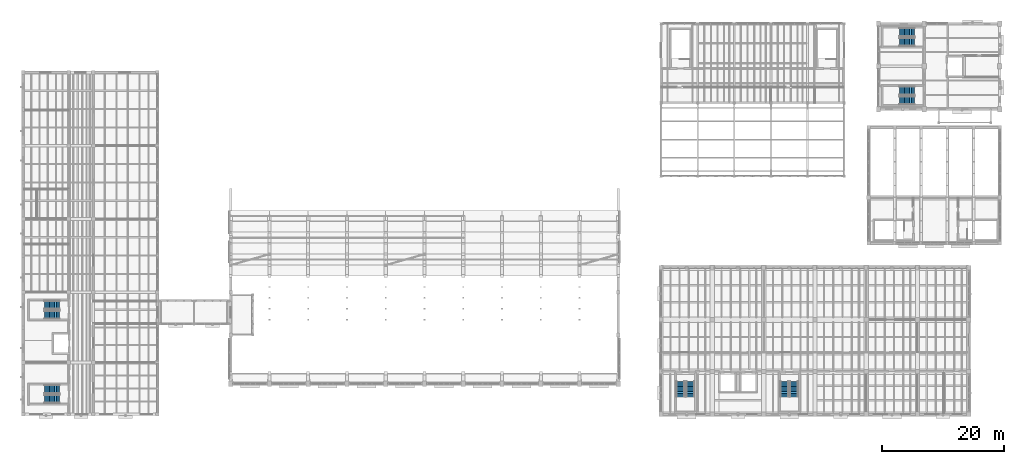
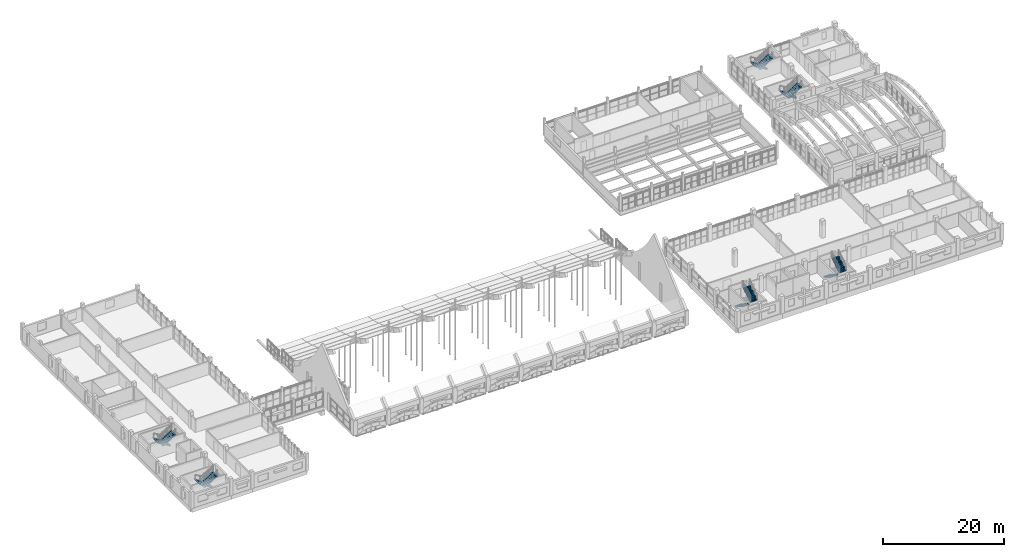
# One storey, part 66 of 77: 12 stair flights, 6 elements without a shape of their own.
"""IFC4 building model written with IfcOpenShell, lengths in metres."""

import ifcopenshell
import ifcopenshell.guid

model = None  # the IFC model being written
_history = None  # IfcOwnerHistory: only IFC2X3 demands one
_inside = {}  # id of a spatial element -> (the spatial element, [elements in it])
_under = {}  # id of a project, library or spatial element -> (it, [spatial elements below it])
_declared = {}  # id of a project -> (the project, [libraries it declares])
_typed = {}  # id of a type object -> (the type object, [elements of that type])
_made_of = {}  # id of a material, layer set ... -> (it, [elements and type objects made of it])


def new_model(schema):
    """Start an empty IFC model of exactly this schema.

    Asked for "IFC4X3", IfcOpenShell would pick the latest addendum, in which some entities
    have other attributes; the version numbers below select the first issue.
    IFC2X3 requires an IfcOwnerHistory on every rooted entity: one is made here for all.
    """
    global model, _history
    if schema == "IFC4X3":
        model = ifcopenshell.file(schema_version=(4, 3, 0, 0))
    else:
        model = ifcopenshell.file(schema=schema)
    _inside.clear()
    _under.clear()
    _declared.clear()
    _typed.clear()
    _made_of.clear()
    _history = None
    if model.schema == "IFC2X3":
        org = make("IfcOrganization", Name="unknown")
        user = make(
            "IfcPersonAndOrganization",
            ThePerson=make("IfcPerson", FamilyName="unknown"),
            TheOrganization=org,
        )
        app = make(
            "IfcApplication",
            ApplicationDeveloper=org,
            Version="unknown",
            ApplicationFullName="unknown",
            ApplicationIdentifier="unknown",
        )
        _history = make(
            "IfcOwnerHistory",
            OwningUser=user,
            OwningApplication=app,
            ChangeAction="ADDED",
            CreationDate=0,
        )
    return model


def make(cls, **values):
    """One entity of the class cls with the attributes given. An attribute that is None is left unset."""
    return model.create_entity(
        cls, **{name: value for name, value in values.items() if value is not None}
    )


def rooted(cls, **values):
    """An entity with a GlobalId (a new one), such as an element, a storey or a relation."""
    return make(cls, GlobalId=ifcopenshell.guid.new(), OwnerHistory=_history, **values)


def si_unit(unit_type, name, prefix=None):
    """IfcSIUnit, for example si_unit("LENGTHUNIT", "METRE", prefix="MILLI")."""
    return make("IfcSIUnit", UnitType=unit_type, Prefix=prefix, Name=name)


def assignment(units):
    """IfcUnitAssignment: the units of a project."""
    return None if units is None else make("IfcUnitAssignment", Units=units)


def point(xyz):
    """IfcCartesianPoint."""
    return None if xyz is None else make("IfcCartesianPoint", Coordinates=xyz)


def direction(xyz):
    """IfcDirection."""
    return None if xyz is None else make("IfcDirection", DirectionRatios=xyz)


def frame(location, z_axis=None, x_axis=None):
    """IfcAxis2Placement3D, a coordinate frame: its origin and axes. An axis left out is left unset."""
    return make(
        "IfcAxis2Placement3D",
        Location=point(location),
        Axis=direction(z_axis),
        RefDirection=direction(x_axis),
    )


def origin():
    """The frame at (0, 0, 0) with its axes left unset."""
    return frame((0.0, 0.0, 0.0))


def place(relative_to, where):
    """IfcLocalPlacement: puts the frame where relative to a parent placement (None: the world)."""
    return make(
        "IfcLocalPlacement", PlacementRelTo=relative_to, RelativePlacement=where
    )


def context(
    kind, dimensions, precision=None, world=None, true_north=None, identifier=None
):
    """IfcGeometricRepresentationContext, for example the 3D "Model" context."""
    return make(
        "IfcGeometricRepresentationContext",
        ContextIdentifier=identifier,
        ContextType=kind,
        CoordinateSpaceDimension=dimensions,
        Precision=precision,
        WorldCoordinateSystem=world,
        TrueNorth=true_north,
    )


def subcontext(parent, identifier, kind, view, scale=None):
    """IfcGeometricRepresentationSubContext, for example "Body" below "Model"."""
    return make(
        "IfcGeometricRepresentationSubContext",
        ContextIdentifier=identifier,
        ContextType=kind,
        ParentContext=parent,
        TargetScale=scale,
        TargetView=view,
    )


def project(units=None, contexts=None):
    """IfcProject with its units and contexts."""
    return rooted(
        "IfcProject",
        Name="project",
        RepresentationContexts=contexts,
        UnitsInContext=assignment(units),
    )


def spatial(cls, under=None, at=None, **own):
    """A site, building, storey or space (cls), placed at a placement, below another one or the project."""
    s = rooted(cls, ObjectPlacement=at, **own)
    if under is not None:
        _under.setdefault(under.id(), (under, []))[1].append(s)
    return s


def polyline(points):
    """IfcPolyline through the points."""
    return make("IfcPolyline", Points=[point(p) for p in points])


def outline(outer, holes=None, kind="AREA"):
    """IfcArbitraryClosedProfileDef: a profile drawn as a closed curve; with holes, ...WithVoids."""
    if holes is None:
        return make("IfcArbitraryClosedProfileDef", ProfileType=kind, OuterCurve=outer)
    return make(
        "IfcArbitraryProfileDefWithVoids",
        ProfileType=kind,
        OuterCurve=outer,
        InnerCurves=holes,
    )


def extrude(swept, where, along, depth):
    """IfcExtrudedAreaSolid: the profile swept, set in the frame where, extruded along a direction by depth."""
    return make(
        "IfcExtrudedAreaSolid",
        SweptArea=swept,
        Position=where,
        ExtrudedDirection=direction(along),
        Depth=depth,
    )


def shape(context_of_items, identifier, shape_type, items):
    """IfcShapeRepresentation: the items that make up one representation, for example the "Body"."""
    return make(
        "IfcShapeRepresentation",
        ContextOfItems=context_of_items,
        RepresentationIdentifier=identifier,
        RepresentationType=shape_type,
        Items=items,
    )


def material(Name=None, Category=None):
    """IfcMaterial."""
    return make("IfcMaterial", Name=Name, Category=Category)


def made_of(thing, what):
    """Note that an element or type object is made of a material, layer set ...; save() writes the relation."""
    if what is not None:
        _made_of.setdefault(what.id(), (what, []))[1].append(thing)
    return thing


def type_object(cls, material=None, **own):
    """A type object (cls), such as IfcWallType, which elements share."""
    return made_of(rooted(cls, **own), material)


def element(
    cls,
    number,
    at=None,
    inside=None,
    cuts=None,
    type_object=None,
    material=None,
    context=None,
    identifier="Body",
    shape_type=None,
    held_by="IfcProductDefinitionShape",
    body=None,
    shapes=None,
    **own,
):
    """One element of the class cls, such as IfcWall. Its Tag is "e" and its number.

    at: its placement. inside: the storey or other place that contains it. cuts: it is an
    opening in that element (IfcRelVoidsElement). A single representation is given by context,
    identifier, shape_type and body (its items); several are given by shapes. held_by: the class
    of the entity that holds the representations. save() writes the other relations.
    """
    e = rooted(cls, Tag="e%d" % number, ObjectPlacement=at, **own)
    if body is not None:
        shapes = [shape(context, identifier, shape_type, body)]
    if shapes is not None:
        e.Representation = make(held_by, Representations=shapes)
    if inside is not None:
        _inside.setdefault(inside.id(), (inside, []))[1].append(e)
    if cuts is not None:
        rooted(
            "IfcRelVoidsElement", RelatingBuildingElement=cuts, RelatedOpeningElement=e
        )
    if type_object is not None:
        _typed.setdefault(type_object.id(), (type_object, []))[1].append(e)
    return made_of(e, material)


def aggregate(whole, parts):
    """IfcRelAggregates: a whole, such as a stair, and the parts it consists of."""
    return rooted("IfcRelAggregates", RelatingObject=whole, RelatedObjects=parts)


def save(model, path):
    """Write the relations noted so far, then the file.

    IfcRelAggregates (storeys below a building ...), IfcRelContainedInSpatialStructure (elements
    in a storey), IfcRelDefinesByType, IfcRelAssociatesMaterial and IfcRelDeclares: one each for
    every whole, place, type object, material and project.
    """
    for whole, parts in _under.values():
        aggregate(whole, parts)
    for where, things in _inside.values():
        rooted(
            "IfcRelContainedInSpatialStructure",
            RelatedElements=things,
            RelatingStructure=where,
        )
    for kind, things in _typed.values():
        rooted("IfcRelDefinesByType", RelatedObjects=things, RelatingType=kind)
    for what, things in _made_of.values():
        rooted("IfcRelAssociatesMaterial", RelatedObjects=things, RelatingMaterial=what)
    for by, libraries in _declared.values():
        rooted("IfcRelDeclares", RelatingContext=by, RelatedDefinitions=libraries)
    model.write(path)


model = new_model("IFC4")

# Units and contexts
model_context = context("Model", 3, precision=1e-05, world=origin(), true_north=direction((0.0, 1.0)))
body_context = subcontext(model_context, "Body", "Model", "MODEL_VIEW")
ifc_project = project(units=[si_unit("LENGTHUNIT", "METRE"), si_unit("AREAUNIT", "SQUARE_METRE"), si_unit("VOLUMEUNIT", "CUBIC_METRE"), si_unit("PLANEANGLEUNIT", "RADIAN"), si_unit("MASSUNIT", "GRAM", prefix="KILO")], contexts=[model_context])

# Site, building, storey
site_placement = place(None, origin())
site = spatial("IfcSite", under=ifc_project, at=site_placement, CompositionType="ELEMENT")
building_placement = place(site_placement, origin())
building = spatial("IfcBuilding", under=site, at=building_placement, Name="Trellovar Central Fire Station", CompositionType="ELEMENT")
storey_placement = place(building_placement, frame((0.0, 0.0, 5.85009765625)))
storey = spatial("IfcBuildingStorey", under=building, at=storey_placement, Name="L02", CompositionType="ELEMENT", Elevation=5.85009765625)

# Stair, stair flights
ifc_material_1 = material(Name="Concrete C40/50", Category="concrete")
stair_type = type_object("IfcStairType", Name="ST-R1725", PredefinedType="HALF_TURN_STAIR", material=ifc_material_1)
stair_1_placement = place(storey_placement, origin())
stair_1 = element("IfcStair", 1, at=stair_1_placement, inside=storey, type_object=stair_type, Name="L02 Protected exit stair ST-01", PredefinedType="HALF_TURN_STAIR")
ifc_material_2 = material(Name="Concrete C40/50", Category="concrete")
stair_flight_type = type_object("IfcStairFlightType", Name="STF-R1725", PredefinedType="STRAIGHT", material=ifc_material_2)
stair_flight_1_placement = place(storey_placement, frame((108.699951171875, 14.39990234375, 0.0), z_axis=(0.0, 0.0, 1.0), x_axis=(0.0, -1.0, 0.0)))
stair_flight_1 = element("IfcStairFlight", 2, at=stair_flight_1_placement, type_object=stair_flight_type, Name="ST-01 flight 1", NumberOfRisers=10, NumberOfTreads=9, PredefinedType="STRAIGHT", RiserHeight=0.1725, TreadLength=0.28, context=body_context, shape_type="SweptSolid", body=[
    extrude(outline(polyline([(0.0, 0.0), (0.0, 0.172607421875), (0.280029296875, 0.172607421875), (0.280029296875, 0.344970703125), (0.56005859375, 0.344970703125), (0.56005859375, 0.517578125), (0.840087890625, 0.517578125), (0.840087890625, 0.68994140625), (1.1201171875, 0.68994140625), (1.1201171875, 0.862548828125), (1.39990234375, 0.862548828125), (1.39990234375, 1.034912109375), (1.679931640625, 1.034912109375), (1.679931640625, 1.20751953125), (1.9599609375, 1.20751953125), (1.9599609375, 1.3798828125), (2.239990234375, 1.3798828125), (2.239990234375, 1.552490234375), (2.52001953125, 1.552490234375), (2.52001953125, 1.72509765625), (2.52001953125, 1.37646484375), (0.285888671875, 0.0), (0.0, 0.0)])), frame((0.0, 0.699951171875, 0.0), z_axis=(0.0, -1.0, 0.0), x_axis=(1.0, 0.0, 0.0)), (0.0, 0.0, 1.0), 1.39990234375),
])
stair_flight_2_placement = place(storey_placement, frame((110.300048828125, 11.8798828125, 1.724853515625), z_axis=(0.0, 0.0, 1.0), x_axis=(0.0, 1.0, 0.0)))
stair_flight_2 = element("IfcStairFlight", 3, at=stair_flight_2_placement, type_object=stair_flight_type, Name="ST-01 flight 2", NumberOfRisers=10, NumberOfTreads=9, PredefinedType="STRAIGHT", RiserHeight=0.1725, TreadLength=0.28, context=body_context, shape_type="SweptSolid", body=[
    extrude(outline(polyline([(0.0, 0.0), (0.0, 0.172607421875), (0.280029296875, 0.172607421875), (0.280029296875, 0.344970703125), (0.56005859375, 0.344970703125), (0.56005859375, 0.517578125), (0.840087890625, 0.517578125), (0.840087890625, 0.68994140625), (1.1201171875, 0.68994140625), (1.1201171875, 0.862548828125), (1.39990234375, 0.862548828125), (1.39990234375, 1.034912109375), (1.679931640625, 1.034912109375), (1.679931640625, 1.20751953125), (1.9599609375, 1.20751953125), (1.9599609375, 1.3798828125), (2.239990234375, 1.3798828125), (2.239990234375, 1.552490234375), (2.52001953125, 1.552490234375), (2.52001953125, 1.72509765625), (2.52001953125, 1.37646484375), (0.285888671875, 0.0), (0.0, 0.0)])), frame((0.0, 0.699951171875, 0.0), z_axis=(0.0, -1.0, 0.0), x_axis=(1.0, 0.0, 0.0)), (0.0, 0.0, 1.0), 1.39990234375),
])
aggregate(stair_1, [stair_flight_1, stair_flight_2])

stair_2_placement = place(storey_placement, origin())
stair_2 = element("IfcStair", 4, at=stair_2_placement, inside=storey, type_object=stair_type, Name="L02 Protected exit stair ST-02", PredefinedType="HALF_TURN_STAIR")
stair_flight_3_placement = place(storey_placement, frame((125.699951171875, 14.39990234375, 0.0), z_axis=(0.0, 0.0, 1.0), x_axis=(0.0, -1.0, 0.0)))
stair_flight_3 = element("IfcStairFlight", 5, at=stair_flight_3_placement, type_object=stair_flight_type, Name="ST-02 flight 1", NumberOfRisers=10, NumberOfTreads=9, PredefinedType="STRAIGHT", RiserHeight=0.1725, TreadLength=0.28, context=body_context, shape_type="SweptSolid", body=[
    extrude(outline(polyline([(0.0, 0.0), (0.0, 0.172607421875), (0.280029296875, 0.172607421875), (0.280029296875, 0.344970703125), (0.56005859375, 0.344970703125), (0.56005859375, 0.517578125), (0.840087890625, 0.517578125), (0.840087890625, 0.68994140625), (1.1201171875, 0.68994140625), (1.1201171875, 0.862548828125), (1.39990234375, 0.862548828125), (1.39990234375, 1.034912109375), (1.679931640625, 1.034912109375), (1.679931640625, 1.20751953125), (1.9599609375, 1.20751953125), (1.9599609375, 1.3798828125), (2.239990234375, 1.3798828125), (2.239990234375, 1.552490234375), (2.52001953125, 1.552490234375), (2.52001953125, 1.72509765625), (2.52001953125, 1.37646484375), (0.285888671875, 0.0), (0.0, 0.0)])), frame((0.0, 0.699951171875, 0.0), z_axis=(0.0, -1.0, 0.0), x_axis=(1.0, 0.0, 0.0)), (0.0, 0.0, 1.0), 1.39990234375),
])
stair_flight_4_placement = place(storey_placement, frame((127.300048828125, 11.8798828125, 1.724853515625), z_axis=(0.0, 0.0, 1.0), x_axis=(0.0, 1.0, 0.0)))
stair_flight_4 = element("IfcStairFlight", 6, at=stair_flight_4_placement, type_object=stair_flight_type, Name="ST-02 flight 2", NumberOfRisers=10, NumberOfTreads=9, PredefinedType="STRAIGHT", RiserHeight=0.1725, TreadLength=0.28, context=body_context, shape_type="SweptSolid", body=[
    extrude(outline(polyline([(0.0, 0.0), (0.0, 0.172607421875), (0.280029296875, 0.172607421875), (0.280029296875, 0.344970703125), (0.56005859375, 0.344970703125), (0.56005859375, 0.517578125), (0.840087890625, 0.517578125), (0.840087890625, 0.68994140625), (1.1201171875, 0.68994140625), (1.1201171875, 0.862548828125), (1.39990234375, 0.862548828125), (1.39990234375, 1.034912109375), (1.679931640625, 1.034912109375), (1.679931640625, 1.20751953125), (1.9599609375, 1.20751953125), (1.9599609375, 1.3798828125), (2.239990234375, 1.3798828125), (2.239990234375, 1.552490234375), (2.52001953125, 1.552490234375), (2.52001953125, 1.72509765625), (2.52001953125, 1.37646484375), (0.285888671875, 0.0), (0.0, 0.0)])), frame((0.0, 0.699951171875, 0.0), z_axis=(0.0, -1.0, 0.0), x_axis=(1.0, 0.0, 0.0)), (0.0, 0.0, 1.0), 1.39990234375),
])
aggregate(stair_2, [stair_flight_3, stair_flight_4])

stair_3_placement = place(storey_placement, origin())
stair_3 = element("IfcStair", 7, at=stair_3_placement, inside=storey, type_object=stair_type, Name="L02 Protected exit stair ST-03", PredefinedType="HALF_TURN_STAIR")
stair_flight_5_placement = place(storey_placement, frame((7.0, 13.10009765625, 0.0), z_axis=(0.0, 0.0, 1.0), x_axis=(-1.0, 0.0, 0.0)))
stair_flight_5 = element("IfcStairFlight", 8, at=stair_flight_5_placement, type_object=stair_flight_type, Name="ST-03 flight 1", NumberOfRisers=10, NumberOfTreads=9, PredefinedType="STRAIGHT", RiserHeight=0.1725, TreadLength=0.28, context=body_context, shape_type="SweptSolid", body=[
    extrude(outline(polyline([(0.0, 0.0), (0.0, 0.172607421875), (0.280029296875, 0.172607421875), (0.280029296875, 0.344970703125), (0.56005859375, 0.344970703125), (0.56005859375, 0.517578125), (0.840087890625, 0.517578125), (0.840087890625, 0.68994140625), (1.1201171875, 0.68994140625), (1.1201171875, 0.862548828125), (1.39990234375, 0.862548828125), (1.39990234375, 1.034912109375), (1.679931640625, 1.034912109375), (1.679931640625, 1.20751953125), (1.9599609375, 1.20751953125), (1.9599609375, 1.3798828125), (2.239990234375, 1.3798828125), (2.239990234375, 1.552490234375), (2.52001953125, 1.552490234375), (2.52001953125, 1.72509765625), (2.52001953125, 1.37646484375), (0.285888671875, 0.0), (0.0, 0.0)])), frame((0.0, 0.699951171875, 0.0), z_axis=(0.0, -1.0, 0.0), x_axis=(1.0, 0.0, 0.0)), (0.0, 0.0, 1.0), 1.39990234375),
])
stair_flight_6_placement = place(storey_placement, frame((4.47998046875, 11.5, 1.724853515625), z_axis=(0.0, 0.0, 1.0), x_axis=(1.0, 0.0, 0.0)))
stair_flight_6 = element("IfcStairFlight", 9, at=stair_flight_6_placement, type_object=stair_flight_type, Name="ST-03 flight 2", NumberOfRisers=10, NumberOfTreads=9, PredefinedType="STRAIGHT", RiserHeight=0.1725, TreadLength=0.28, context=body_context, shape_type="SweptSolid", body=[
    extrude(outline(polyline([(0.0, 0.0), (0.0, 0.172607421875), (0.280029296875, 0.172607421875), (0.280029296875, 0.344970703125), (0.56005859375, 0.344970703125), (0.56005859375, 0.517578125), (0.840087890625, 0.517578125), (0.840087890625, 0.68994140625), (1.1201171875, 0.68994140625), (1.1201171875, 0.862548828125), (1.39990234375, 0.862548828125), (1.39990234375, 1.034912109375), (1.679931640625, 1.034912109375), (1.679931640625, 1.20751953125), (1.9599609375, 1.20751953125), (1.9599609375, 1.3798828125), (2.239990234375, 1.3798828125), (2.239990234375, 1.552490234375), (2.52001953125, 1.552490234375), (2.52001953125, 1.72509765625), (2.52001953125, 1.37646484375), (0.285888671875, 0.0), (0.0, 0.0)])), frame((0.0, 0.699951171875, 0.0), z_axis=(0.0, -1.0, 0.0), x_axis=(1.0, 0.0, 0.0)), (0.0, 0.0, 1.0), 1.39990234375),
])
aggregate(stair_3, [stair_flight_5, stair_flight_6])

stair_4_placement = place(storey_placement, origin())
stair_4 = element("IfcStair", 10, at=stair_4_placement, inside=storey, type_object=stair_type, Name="L02 Protected exit stair ST-04", PredefinedType="HALF_TURN_STAIR")
stair_flight_7_placement = place(storey_placement, frame((7.0, 26.89990234375, 0.0), z_axis=(0.0, 0.0, 1.0), x_axis=(-1.0, 0.0, 0.0)))
stair_flight_7 = element("IfcStairFlight", 11, at=stair_flight_7_placement, type_object=stair_flight_type, Name="ST-04 flight 1", NumberOfRisers=10, NumberOfTreads=9, PredefinedType="STRAIGHT", RiserHeight=0.1725, TreadLength=0.28, context=body_context, shape_type="SweptSolid", body=[
    extrude(outline(polyline([(0.0, 0.0), (0.0, 0.172607421875), (0.280029296875, 0.172607421875), (0.280029296875, 0.344970703125), (0.56005859375, 0.344970703125), (0.56005859375, 0.517578125), (0.840087890625, 0.517578125), (0.840087890625, 0.68994140625), (1.1201171875, 0.68994140625), (1.1201171875, 0.862548828125), (1.39990234375, 0.862548828125), (1.39990234375, 1.034912109375), (1.679931640625, 1.034912109375), (1.679931640625, 1.20751953125), (1.9599609375, 1.20751953125), (1.9599609375, 1.3798828125), (2.239990234375, 1.3798828125), (2.239990234375, 1.552490234375), (2.52001953125, 1.552490234375), (2.52001953125, 1.72509765625), (2.52001953125, 1.37646484375), (0.285888671875, 0.0), (0.0, 0.0)])), frame((0.0, 0.699951171875, 0.0), z_axis=(0.0, -1.0, 0.0), x_axis=(1.0, 0.0, 0.0)), (0.0, 0.0, 1.0), 1.39990234375),
])
stair_flight_8_placement = place(storey_placement, frame((4.47998046875, 25.300048828125, 1.724853515625), z_axis=(0.0, 0.0, 1.0), x_axis=(1.0, 0.0, 0.0)))
stair_flight_8 = element("IfcStairFlight", 12, at=stair_flight_8_placement, type_object=stair_flight_type, Name="ST-04 flight 2", NumberOfRisers=10, NumberOfTreads=9, PredefinedType="STRAIGHT", RiserHeight=0.1725, TreadLength=0.28, context=body_context, shape_type="SweptSolid", body=[
    extrude(outline(polyline([(0.0, 0.0), (0.0, 0.172607421875), (0.280029296875, 0.172607421875), (0.280029296875, 0.344970703125), (0.56005859375, 0.344970703125), (0.56005859375, 0.517578125), (0.840087890625, 0.517578125), (0.840087890625, 0.68994140625), (1.1201171875, 0.68994140625), (1.1201171875, 0.862548828125), (1.39990234375, 0.862548828125), (1.39990234375, 1.034912109375), (1.679931640625, 1.034912109375), (1.679931640625, 1.20751953125), (1.9599609375, 1.20751953125), (1.9599609375, 1.3798828125), (2.239990234375, 1.3798828125), (2.239990234375, 1.552490234375), (2.52001953125, 1.552490234375), (2.52001953125, 1.72509765625), (2.52001953125, 1.37646484375), (0.285888671875, 0.0), (0.0, 0.0)])), frame((0.0, 0.699951171875, 0.0), z_axis=(0.0, -1.0, 0.0), x_axis=(1.0, 0.0, 0.0)), (0.0, 0.0, 1.0), 1.39990234375),
])
aggregate(stair_4, [stair_flight_7, stair_flight_8])

stair_5_placement = place(storey_placement, origin())
stair_5 = element("IfcStair", 13, at=stair_5_placement, inside=storey, type_object=stair_type, Name="L02 Protected exit stair ST-05", PredefinedType="HALF_TURN_STAIR")
stair_flight_9_placement = place(storey_placement, frame((147.050048828125, 62.0, 0.0), z_axis=(0.0, 0.0, 1.0), x_axis=(-1.0, 0.0, 0.0)))
stair_flight_9 = element("IfcStairFlight", 14, at=stair_flight_9_placement, type_object=stair_flight_type, Name="ST-05 flight 1", NumberOfRisers=10, NumberOfTreads=9, PredefinedType="STRAIGHT", RiserHeight=0.1725, TreadLength=0.28, context=body_context, shape_type="SweptSolid", body=[
    extrude(outline(polyline([(0.0, 0.0), (0.0, 0.172607421875), (0.280029296875, 0.172607421875), (0.280029296875, 0.344970703125), (0.56005859375, 0.344970703125), (0.56005859375, 0.517578125), (0.840087890625, 0.517578125), (0.840087890625, 0.68994140625), (1.1201171875, 0.68994140625), (1.1201171875, 0.862548828125), (1.39990234375, 0.862548828125), (1.39990234375, 1.034912109375), (1.679931640625, 1.034912109375), (1.679931640625, 1.20751953125), (1.9599609375, 1.20751953125), (1.9599609375, 1.3798828125), (2.239990234375, 1.3798828125), (2.239990234375, 1.552490234375), (2.52001953125, 1.552490234375), (2.52001953125, 1.72509765625), (2.52001953125, 1.37646484375), (0.285888671875, 0.0), (0.0, 0.0)])), frame((0.0, 0.699951171875, 0.0), z_axis=(0.0, -1.0, 0.0), x_axis=(1.0, 0.0, 0.0)), (0.0, 0.0, 1.0), 1.39990234375),
])
stair_flight_10_placement = place(storey_placement, frame((144.530029296875, 60.39990234375, 1.724853515625), z_axis=(0.0, 0.0, 1.0), x_axis=(1.0, 0.0, 0.0)))
stair_flight_10 = element("IfcStairFlight", 15, at=stair_flight_10_placement, type_object=stair_flight_type, Name="ST-05 flight 2", NumberOfRisers=10, NumberOfTreads=9, PredefinedType="STRAIGHT", RiserHeight=0.1725, TreadLength=0.28, context=body_context, shape_type="SweptSolid", body=[
    extrude(outline(polyline([(0.0, 0.0), (0.0, 0.172607421875), (0.280029296875, 0.172607421875), (0.280029296875, 0.344970703125), (0.56005859375, 0.344970703125), (0.56005859375, 0.517578125), (0.840087890625, 0.517578125), (0.840087890625, 0.68994140625), (1.1201171875, 0.68994140625), (1.1201171875, 0.862548828125), (1.39990234375, 0.862548828125), (1.39990234375, 1.034912109375), (1.679931640625, 1.034912109375), (1.679931640625, 1.20751953125), (1.9599609375, 1.20751953125), (1.9599609375, 1.3798828125), (2.239990234375, 1.3798828125), (2.239990234375, 1.552490234375), (2.52001953125, 1.552490234375), (2.52001953125, 1.72509765625), (2.52001953125, 1.37646484375), (0.285888671875, 0.0), (0.0, 0.0)])), frame((0.0, 0.699951171875, 0.0), z_axis=(0.0, -1.0, 0.0), x_axis=(1.0, 0.0, 0.0)), (0.0, 0.0, 1.0), 1.39990234375),
])
aggregate(stair_5, [stair_flight_9, stair_flight_10])

stair_6_placement = place(storey_placement, origin())
stair_6 = element("IfcStair", 16, at=stair_6_placement, inside=storey, type_object=stair_type, Name="L02 Protected exit stair ST-06", PredefinedType="HALF_TURN_STAIR")
stair_flight_11_placement = place(storey_placement, frame((147.050048828125, 71.60009765625, 0.0), z_axis=(0.0, 0.0, 1.0), x_axis=(-1.0, 0.0, 0.0)))
stair_flight_11 = element("IfcStairFlight", 17, at=stair_flight_11_placement, type_object=stair_flight_type, Name="ST-06 flight 1", NumberOfRisers=10, NumberOfTreads=9, PredefinedType="STRAIGHT", RiserHeight=0.1725, TreadLength=0.28, context=body_context, shape_type="SweptSolid", body=[
    extrude(outline(polyline([(0.0, 0.0), (0.0, 0.172607421875), (0.280029296875, 0.172607421875), (0.280029296875, 0.344970703125), (0.56005859375, 0.344970703125), (0.56005859375, 0.517578125), (0.840087890625, 0.517578125), (0.840087890625, 0.68994140625), (1.1201171875, 0.68994140625), (1.1201171875, 0.862548828125), (1.39990234375, 0.862548828125), (1.39990234375, 1.034912109375), (1.679931640625, 1.034912109375), (1.679931640625, 1.20751953125), (1.9599609375, 1.20751953125), (1.9599609375, 1.3798828125), (2.239990234375, 1.3798828125), (2.239990234375, 1.552490234375), (2.52001953125, 1.552490234375), (2.52001953125, 1.72509765625), (2.52001953125, 1.37646484375), (0.285888671875, 0.0), (0.0, 0.0)])), frame((0.0, 0.699951171875, 0.0), z_axis=(0.0, -1.0, 0.0), x_axis=(1.0, 0.0, 0.0)), (0.0, 0.0, 1.0), 1.39990234375),
])
stair_flight_12_placement = place(storey_placement, frame((144.530029296875, 70.0, 1.724853515625), z_axis=(0.0, 0.0, 1.0), x_axis=(1.0, 0.0, 0.0)))
stair_flight_12 = element("IfcStairFlight", 18, at=stair_flight_12_placement, type_object=stair_flight_type, Name="ST-06 flight 2", NumberOfRisers=10, NumberOfTreads=9, PredefinedType="STRAIGHT", RiserHeight=0.1725, TreadLength=0.28, context=body_context, shape_type="SweptSolid", body=[
    extrude(outline(polyline([(0.0, 0.0), (0.0, 0.172607421875), (0.280029296875, 0.172607421875), (0.280029296875, 0.344970703125), (0.56005859375, 0.344970703125), (0.56005859375, 0.517578125), (0.840087890625, 0.517578125), (0.840087890625, 0.68994140625), (1.1201171875, 0.68994140625), (1.1201171875, 0.862548828125), (1.39990234375, 0.862548828125), (1.39990234375, 1.034912109375), (1.679931640625, 1.034912109375), (1.679931640625, 1.20751953125), (1.9599609375, 1.20751953125), (1.9599609375, 1.3798828125), (2.239990234375, 1.3798828125), (2.239990234375, 1.552490234375), (2.52001953125, 1.552490234375), (2.52001953125, 1.72509765625), (2.52001953125, 1.37646484375), (0.285888671875, 0.0), (0.0, 0.0)])), frame((0.0, 0.699951171875, 0.0), z_axis=(0.0, -1.0, 0.0), x_axis=(1.0, 0.0, 0.0)), (0.0, 0.0, 1.0), 1.39990234375),
])
aggregate(stair_6, [stair_flight_11, stair_flight_12])

save(model, "model.ifc")
